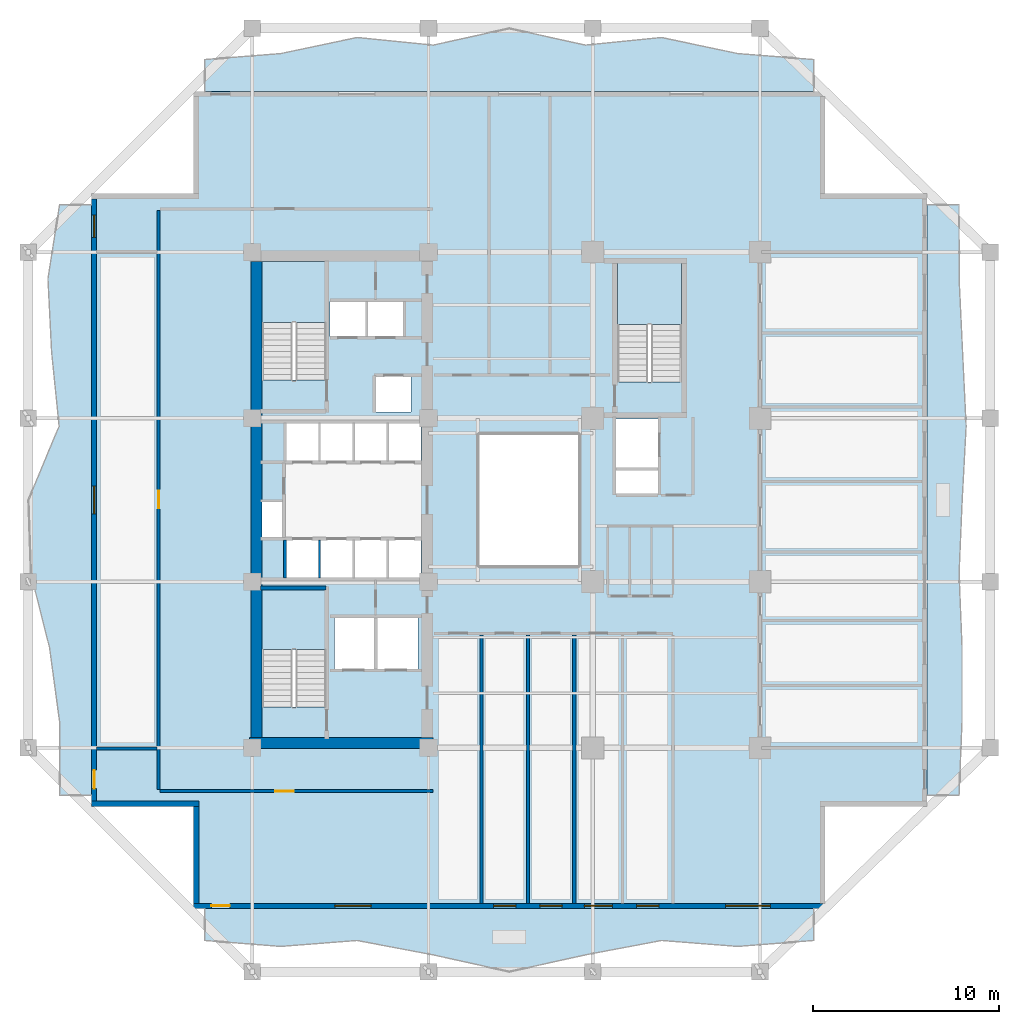
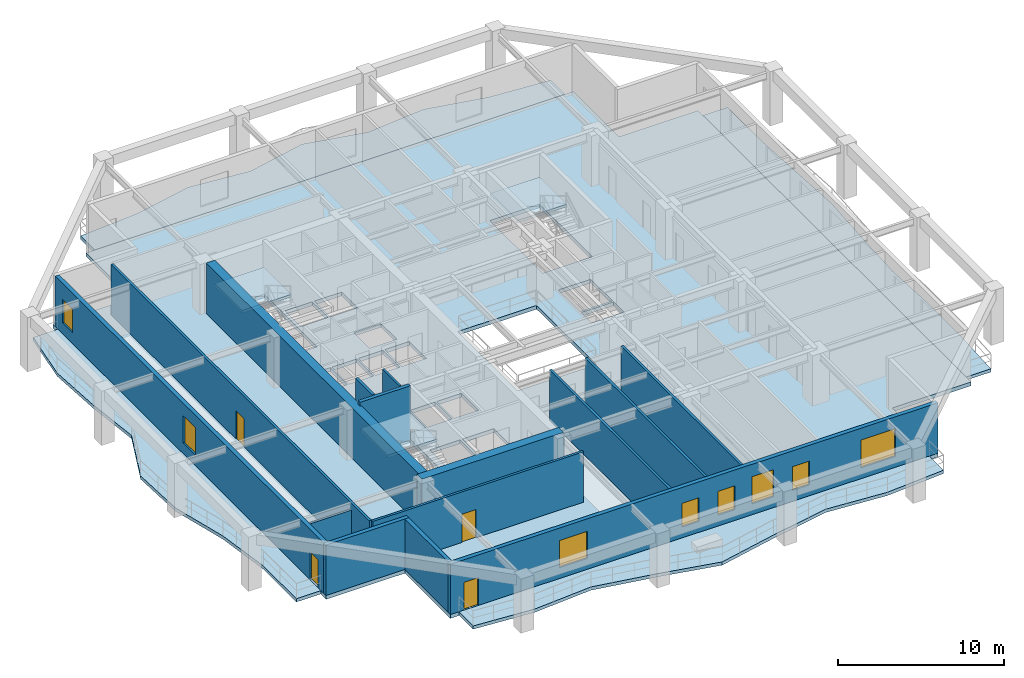
# One storey, part 2 of 13: 15 walls, 8 slabs, 8 windows, 4 doors, 12 openings, 3 elements without a shape of their own.
"""IFC4 building model written with IfcOpenShell, lengths in metres."""

from ifc_helpers import new_model, si_unit, direction, frame, frame_2d, origin, place, context, subcontext, project, spatial, polyline, rectangle, outline, extrude, material, layer, layer_set, type_object, element, fill, aggregate, save


model = new_model("IFC4")

# Units and contexts
model_context = context("Model", 3, precision=1e-05, world=origin(), true_north=direction((0.0, 1.0)))
body_context = subcontext(model_context, "Body", "Model", "MODEL_VIEW")
ifc_project = project(units=[si_unit("LENGTHUNIT", "METRE"), si_unit("AREAUNIT", "SQUARE_METRE"), si_unit("VOLUMEUNIT", "CUBIC_METRE"), si_unit("PLANEANGLEUNIT", "RADIAN"), si_unit("MASSUNIT", "GRAM", prefix="KILO")], contexts=[model_context])

# Site, building, storey
site_placement = place(None, origin())
site = spatial("IfcSite", under=ifc_project, at=site_placement, CompositionType="ELEMENT")
building_placement = place(site_placement, origin())
building = spatial("IfcBuilding", under=site, at=building_placement, Name="Kundavana Baori Tower", CompositionType="ELEMENT")
storey_placement = place(building_placement, frame((0.0, 0.0, 70.0)))
storey = spatial("IfcBuildingStorey", under=building, at=storey_placement, Name="L16", CompositionType="ELEMENT", Elevation=70.0)

# Slab
ifc_material_1 = material(Name="Concrete C40/50", Category="concrete")
ifc_layer_1 = layer(ifc_material_1, 0.280029296875, Name="SLB-FLR-280")
ifc_layer_set_1 = layer_set([ifc_layer_1], Name="Concrete C40/50")
slab_type_1 = type_object("IfcSlabType", Name="SLB-FLR-280", PredefinedType="FLOOR", material=ifc_layer_set_1)
slab_1_placement = place(storey_placement, frame((0.0, 0.0, -0.280029296875)))
element("IfcSlab", 1, at=slab_1_placement, inside=storey, type_object=slab_type_1, Name="L16 Structural Floor Slab", PredefinedType="FLOOR", context=body_context, shape_type="SweptSolid", body=[
    extrude(outline(polyline([(12.300048828125, 6.60009765625), (46.300048828125, 6.60009765625), (46.300048828125, 12.10009765625), (51.800048828125, 12.10009765625), (51.800048828125, 45.10009765625), (46.300048828125, 45.10009765625), (46.300048828125, 50.60009765625), (12.300048828125, 50.60009765625), (12.300048828125, 45.10009765625), (6.800048828125, 45.10009765625), (6.800048828125, 12.10009765625), (12.300048828125, 12.10009765625), (12.300048828125, 6.60009765625)]), holes=[polyline([(19.43994140625, 17.4619140625), (19.43994140625, 23.85009765625), (15.97998046875, 23.85009765625), (15.97998046875, 17.4619140625), (19.43994140625, 17.4619140625)]), polyline([(19.43994140625, 35.06201171875), (19.43994140625, 41.449951171875), (15.97998046875, 41.449951171875), (15.97998046875, 35.06201171875), (19.43994140625, 35.06201171875)]), polyline([(38.580078125, 34.9619140625), (38.580078125, 41.35009765625), (35.1201171875, 41.35009765625), (35.1201171875, 34.9619140625), (38.580078125, 34.9619140625)]), polyline([(17.300048828125, 24.39990234375), (19.02001953125, 24.39990234375), (19.02001953125, 26.449951171875), (17.300048828125, 26.449951171875), (17.300048828125, 24.39990234375)]), polyline([(19.139892578125, 24.39990234375), (20.860107421875, 24.39990234375), (20.860107421875, 26.449951171875), (19.139892578125, 26.449951171875), (19.139892578125, 24.39990234375)]), polyline([(20.97998046875, 24.39990234375), (22.699951171875, 24.39990234375), (22.699951171875, 26.449951171875), (20.97998046875, 26.449951171875), (20.97998046875, 24.39990234375)]), polyline([(22.820068359375, 24.39990234375), (24.5400390625, 24.39990234375), (24.5400390625, 26.449951171875), (22.820068359375, 26.449951171875), (22.820068359375, 24.39990234375)]), polyline([(17.300048828125, 30.699951171875), (19.02001953125, 30.699951171875), (19.02001953125, 32.75), (17.300048828125, 32.75), (17.300048828125, 30.699951171875)]), polyline([(19.139892578125, 30.699951171875), (20.860107421875, 30.699951171875), (20.860107421875, 32.75), (19.139892578125, 32.75), (19.139892578125, 30.699951171875)]), polyline([(20.97998046875, 30.699951171875), (22.699951171875, 30.699951171875), (22.699951171875, 32.75), (20.97998046875, 32.75), (20.97998046875, 30.699951171875)]), polyline([(22.820068359375, 30.699951171875), (24.5400390625, 30.699951171875), (24.5400390625, 32.75), (22.820068359375, 32.75), (22.820068359375, 30.699951171875)]), polyline([(19.64990234375, 37.39990234375), (21.550048828125, 37.39990234375), (21.550048828125, 39.300048828125), (19.64990234375, 39.300048828125), (19.64990234375, 37.39990234375)]), polyline([(21.699951171875, 37.39990234375), (23.60009765625, 37.39990234375), (23.60009765625, 39.300048828125), (21.699951171875, 39.300048828125), (21.699951171875, 37.39990234375)]), polyline([(22.10009765625, 33.35009765625), (24.0, 33.35009765625), (24.0, 35.25), (22.10009765625, 35.25), (22.10009765625, 33.35009765625)]), polyline([(19.8798828125, 19.5), (22.02001953125, 19.5), (22.02001953125, 22.25), (19.8798828125, 22.25), (19.8798828125, 19.5)]), polyline([(22.179931640625, 19.5), (24.3798828125, 19.5), (24.3798828125, 22.25), (22.179931640625, 22.25), (22.179931640625, 19.5)]), polyline([(35.050048828125, 30.35009765625), (37.300048828125, 30.35009765625), (37.300048828125, 32.949951171875), (35.050048828125, 32.949951171875), (35.050048828125, 30.35009765625)]), polyline([(15.949951171875, 26.60009765625), (17.080078125, 26.60009765625), (17.080078125, 28.5), (15.949951171875, 28.5), (15.949951171875, 26.60009765625)]), polyline([(35.050048828125, 28.949951171875), (37.300048828125, 28.949951171875), (37.300048828125, 30.199951171875), (35.050048828125, 30.199951171875), (35.050048828125, 28.949951171875)]), polyline([(27.60009765625, 25.0), (33.10009765625, 25.0), (33.10009765625, 32.199951171875), (27.60009765625, 32.199951171875), (27.60009765625, 25.0)])]), origin(), (0.0, 0.0, 1.0), 0.280029296875),
])

# Stair, slab
ifc_material_2 = material(Name="Concrete C40/50", Category="concrete")
stair_type = type_object("IfcStairType", Name="STR-DOG-1650", PredefinedType="HALF_TURN_STAIR", material=ifc_material_2)
stair_1_placement = place(storey_placement, origin())
stair_1 = element("IfcStair", 2, at=stair_1_placement, inside=storey, type_object=stair_type, Name="L16 Protected Exit Stair ST1", PredefinedType="HALF_TURN_STAIR")
ifc_material_3 = material(Name="Concrete C40/50", Category="concrete")
ifc_layer_2 = layer(ifc_material_3, 0.199951171875, Name="SLB-LND-200")
ifc_layer_set_2 = layer_set([ifc_layer_2], Name="Concrete C40/50")
slab_type_2 = type_object("IfcSlabType", Name="SLB-LND-200", PredefinedType="LANDING", material=ifc_layer_set_2)
slab_2_placement = place(storey_placement, frame((0.0, 0.0, 1.800048828125)))
slab_2 = element("IfcSlab", 3, at=slab_2_placement, type_object=slab_type_2, Name="ST1 landing 1", PredefinedType="LANDING", context=body_context, shape_type="SweptSolid", body=[
    extrude(outline(polyline([(19.43994140625, 20.550048828125), (19.43994140625, 23.85009765625), (15.97998046875, 23.85009765625), (15.97998046875, 20.550048828125), (19.43994140625, 20.550048828125)])), origin(), (0.0, 0.0, 1.0), 0.199951171875),
])
aggregate(stair_1, [slab_2])

stair_2_placement = place(storey_placement, origin())
stair_2 = element("IfcStair", 4, at=stair_2_placement, inside=storey, type_object=stair_type, Name="L16 Protected Exit Stair ST2", PredefinedType="HALF_TURN_STAIR")
slab_3_placement = place(storey_placement, frame((0.0, 0.0, 1.800048828125)))
slab_3 = element("IfcSlab", 5, at=slab_3_placement, type_object=slab_type_2, Name="ST2 landing 1", PredefinedType="LANDING", context=body_context, shape_type="SweptSolid", body=[
    extrude(outline(polyline([(19.43994140625, 38.14990234375), (19.43994140625, 41.449951171875), (15.97998046875, 41.449951171875), (15.97998046875, 38.14990234375), (19.43994140625, 38.14990234375)])), origin(), (0.0, 0.0, 1.0), 0.199951171875),
])
aggregate(stair_2, [slab_3])

stair_3_placement = place(storey_placement, origin())
stair_3 = element("IfcStair", 6, at=stair_3_placement, inside=storey, type_object=stair_type, Name="L16 Protected Exit Stair ST3", PredefinedType="HALF_TURN_STAIR")
slab_4_placement = place(storey_placement, frame((0.0, 0.0, 1.800048828125)))
slab_4 = element("IfcSlab", 7, at=slab_4_placement, type_object=slab_type_2, Name="ST3 landing 1", PredefinedType="LANDING", context=body_context, shape_type="SweptSolid", body=[
    extrude(outline(polyline([(38.580078125, 38.050048828125), (38.580078125, 41.35009765625), (35.1201171875, 41.35009765625), (35.1201171875, 38.050048828125), (38.580078125, 38.050048828125)])), origin(), (0.0, 0.0, 1.0), 0.199951171875),
])
aggregate(stair_3, [slab_4])

# Slabs
ifc_material_4 = material(Name="Concrete C40/50", Category="concrete")
ifc_layer_3 = layer(ifc_material_4, 0.239990234375, Name="SLB-LOG-240")
ifc_layer_set_3 = layer_set([ifc_layer_3], Name="Concrete C40/50")
slab_type_3 = type_object("IfcSlabType", Name="SLB-LOG-240", PredefinedType="FLOOR", material=ifc_layer_set_3)
slab_5_placement = place(storey_placement, frame((0.0, 0.0, -0.239990234375)))
element("IfcSlab", 8, at=slab_5_placement, inside=storey, type_object=slab_type_3, Name="L16 Planted Loggia Balcony Slab S", PredefinedType="FLOOR", context=body_context, shape_type="SweptSolid", body=[
    extrude(outline(polyline([(12.89990234375, 6.60009765625), (45.699951171875, 6.60009765625), (45.699951171875, 4.8798828125), (41.60009765625, 4.55908203125), (37.5, 4.8798828125), (33.39990234375, 4.10400390625), (29.300048828125, 3.199951171875), (25.199951171875, 4.10400390625), (21.10009765625, 4.8798828125), (17.0, 4.55908203125), (12.89990234375, 4.8798828125), (12.89990234375, 6.60009765625)])), origin(), (0.0, 0.0, 1.0), 0.239990234375),
])
slab_6_placement = place(storey_placement, frame((0.0, 0.0, -0.239990234375)))
element("IfcSlab", 9, at=slab_6_placement, inside=storey, type_object=slab_type_3, Name="L16 Planted Loggia Balcony Slab E", PredefinedType="FLOOR", context=body_context, shape_type="SweptSolid", body=[
    extrude(outline(polyline([(51.800048828125, 12.699951171875), (51.800048828125, 44.5), (53.52001953125, 44.5), (53.52392578125, 40.52490234375), (53.7109375, 36.550048828125), (53.902099609375, 32.574951171875), (53.68994140625, 28.60009765625), (53.52197265625, 24.625), (53.68310546875, 20.64990234375), (53.680908203125, 16.675048828125), (53.52001953125, 12.699951171875), (51.800048828125, 12.699951171875)])), origin(), (0.0, 0.0, 1.0), 0.239990234375),
])
slab_7_placement = place(storey_placement, frame((0.0, 0.0, -0.239990234375)))
element("IfcSlab", 10, at=slab_7_placement, inside=storey, type_object=slab_type_3, Name="L16 Planted Loggia Balcony Slab N", PredefinedType="FLOOR", context=body_context, shape_type="SweptSolid", body=[
    extrude(outline(polyline([(45.699951171875, 50.60009765625), (12.89990234375, 50.60009765625), (12.89990234375, 52.320068359375), (17.0, 52.64111328125), (21.10009765625, 53.508056640625), (25.199951171875, 53.095947265625), (29.300048828125, 54.0), (33.39990234375, 53.095947265625), (37.5, 53.508056640625), (41.60009765625, 52.64111328125), (45.699951171875, 52.320068359375), (45.699951171875, 50.60009765625)])), origin(), (0.0, 0.0, 1.0), 0.239990234375),
])
slab_8_placement = place(storey_placement, frame((0.0, 0.0, -0.239990234375)))
element("IfcSlab", 11, at=slab_8_placement, inside=storey, type_object=slab_type_3, Name="L16 Planted Loggia Balcony Slab W", PredefinedType="FLOOR", context=body_context, shape_type="SweptSolid", body=[
    extrude(outline(polyline([(6.800048828125, 44.5), (6.800048828125, 12.699951171875), (5.080078125, 12.699951171875), (5.080078125, 16.675048828125), (4.54296875, 20.64990234375), (3.535888671875, 24.625), (3.39990234375, 28.60009765625), (5.05810546875, 32.574951171875), (4.654052734375, 36.550048828125), (4.455078125, 40.52490234375), (5.080078125, 44.5), (6.800048828125, 44.5)])), origin(), (0.0, 0.0, 1.0), 0.239990234375),
])

# Walls
ifc_material_5 = material(Name="Concrete C50/60", Category="concrete")
ifc_layer_4 = layer(ifc_material_5, 0.39990234375, Name="WL-CORE-400")
ifc_layer_set_4 = layer_set([ifc_layer_4], Name="Concrete C50/60")
wall_type_1 = type_object("IfcWallType", Name="WL-CORE-400", PredefinedType="SHEAR", material=ifc_layer_set_4)
wall_1_placement = place(storey_placement, frame((15.89990234375, 23.860107421875, 0.0), z_axis=(0.0, 0.0, 1.0), x_axis=(1.0, 0.0, 0.0)))
element("IfcWall", 12, at=wall_1_placement, inside=storey, type_object=wall_type_1, Name="WL-L16-ST1-N", PredefinedType="SHEAR", context=body_context, shape_type="SweptSolid", body=[
    extrude(rectangle(XDim=3.52001953125, YDim=0.239990234375, at=frame_2d((1.760009765625, 0.0))), origin(), (0.0, 0.0, 1.0), 4.0),
])
ifc_material_6 = material(Name="Concrete C60/75", Category="concrete")
ifc_layer_5 = layer(ifc_material_6, 0.60009765625, Name="WL-CORE-600")
ifc_layer_set_5 = layer_set([ifc_layer_5], Name="Concrete C60/75")
wall_type_2 = type_object("IfcWallType", Name="WL-CORE-600", PredefinedType="SHEAR", material=ifc_layer_set_5)
wall_2_placement = place(storey_placement, frame((15.300048828125, 15.510009765625, 0.0), z_axis=(0.0, 0.0, 1.0), x_axis=(1.0, 0.0, 0.0)))
element("IfcWall", 13, at=wall_2_placement, inside=storey, type_object=wall_type_2, Name="L16 Offset Core South Shear Wall", PredefinedType="SHEAR", context=body_context, shape_type="SweptSolid", body=[
    extrude(rectangle(XDim=9.8798828125, YDim=0.60009765625, at=frame_2d((4.93994140625, 0.0))), origin(), (0.0, 0.0, 1.0), 3.719970703125),
])
wall_3_placement = place(storey_placement, frame((15.68994140625, 15.81005859375, 0.0), z_axis=(0.0, 0.0, 1.0), x_axis=(0.0, 1.0, 0.0)))
element("IfcWall", 14, at=wall_3_placement, inside=storey, type_object=wall_type_2, Name="L16 Offset Core West Shear Wall", PredefinedType="SHEAR", context=body_context, shape_type="SweptSolid", body=[
    extrude(rectangle(XDim=25.6298828125, YDim=0.60009765625, at=frame_2d((12.81494140625, 0.0))), origin(), (0.0, 0.0, 1.0), 3.719970703125),
])

# Wall, openings, door, windows
ifc_material_7 = material(Name="Red-Buff Dholpur Sandstone Cladding on Concrete C40/50", Category="masonry")
ifc_layer_6 = layer(ifc_material_7, 0.280029296875, Name="WL-EXT-SAND-280")
ifc_layer_set_6 = layer_set([ifc_layer_6], Name="Red-Buff Dholpur Sandstone Cladding on Concrete C40/50")
wall_type_3 = type_object("IfcWallType", Name="WL-EXT-SAND-280", PredefinedType="STANDARD", material=ifc_layer_set_6)
wall_4_placement = place(storey_placement, frame((12.300048828125, 6.739990234375, 0.0), z_axis=(0.0, 0.0, 1.0), x_axis=(1.0, 0.0, 0.0)))
wall_4 = element("IfcWall", 15, at=wall_4_placement, inside=storey, type_object=wall_type_3, Name="L16 Exterior Insulated Facade Wall 01", PredefinedType="STANDARD", context=body_context, shape_type="SweptSolid", body=[
    extrude(rectangle(XDim=34.0, YDim=0.280029296875, at=frame_2d((17.0, 0.0))), origin(), (0.0, 0.0, 1.0), 3.719970703125),
])
opening_1_placement = place(wall_4_placement, frame((0.949951171875, 0.0, 0.0)))
opening_1 = element("IfcOpeningElement", 16, at=opening_1_placement, cuts=wall_4, Name="Opening BD-1", PredefinedType="OPENING", context=body_context, shape_type="SweptSolid", body=[
    extrude(rectangle(XDim=1.0, YDim=2.050048828125, at=frame_2d((0.5, 1.02490234375))), frame((0.0, 0.14990234375, 0.0), z_axis=(0.0, -1.0, 0.0), x_axis=(1.0, 0.0, 0.0)), (0.0, 0.0, 1.0), 0.300048828125),
])
opening_2_placement = place(wall_4_placement, frame((7.60498046875, 0.0, 0.800048828125)))
opening_2 = element("IfcOpeningElement", 17, at=opening_2_placement, cuts=wall_4, Name="Opening W-09", PredefinedType="OPENING", context=body_context, shape_type="SweptSolid", body=[
    extrude(rectangle(XDim=1.949951171875, YDim=2.0, at=frame_2d((0.97509765625, 1.0))), frame((0.0, 0.14990234375, 0.0), z_axis=(0.0, -1.0, 0.0), x_axis=(1.0, 0.0, 0.0)), (0.0, 0.0, 1.0), 0.300048828125),
])
opening_3_placement = place(wall_4_placement, frame((16.14990234375, 0.0, 0.800048828125)))
opening_3 = element("IfcOpeningElement", 18, at=opening_3_placement, cuts=wall_4, Name="Opening W-03", PredefinedType="OPENING", context=body_context, shape_type="SweptSolid", body=[
    extrude(rectangle(XDim=1.199951171875, YDim=1.75, at=frame_2d((0.60009765625, 0.875))), frame((0.0, 0.14990234375, 0.0), z_axis=(0.0, -1.0, 0.0), x_axis=(1.0, 0.0, 0.0)), (0.0, 0.0, 1.0), 0.300048828125),
])
opening_4_placement = place(wall_4_placement, frame((18.64990234375, 0.0, 0.800048828125)))
opening_4 = element("IfcOpeningElement", 19, at=opening_4_placement, cuts=wall_4, Name="Opening W-03", PredefinedType="OPENING", context=body_context, shape_type="SweptSolid", body=[
    extrude(rectangle(XDim=1.199951171875, YDim=1.75, at=frame_2d((0.60009765625, 0.875))), frame((0.0, 0.14990234375, 0.0), z_axis=(0.0, -1.0, 0.0), x_axis=(1.0, 0.0, 0.0)), (0.0, 0.0, 1.0), 0.300048828125),
])
opening_5_placement = place(wall_4_placement, frame((21.050048828125, 0.0, 0.800048828125)))
opening_5 = element("IfcOpeningElement", 20, at=opening_5_placement, cuts=wall_4, Name="Opening W-02", PredefinedType="OPENING", context=body_context, shape_type="SweptSolid", body=[
    extrude(rectangle(XDim=1.5, YDim=2.0, at=frame_2d((0.75, 1.0))), frame((0.0, 0.14990234375, 0.0), z_axis=(0.0, -1.0, 0.0), x_axis=(1.0, 0.0, 0.0)), (0.0, 0.0, 1.0), 0.300048828125),
])
opening_6_placement = place(wall_4_placement, frame((23.860107421875, 0.0, 0.800048828125)))
opening_6 = element("IfcOpeningElement", 21, at=opening_6_placement, cuts=wall_4, Name="Opening W-03", PredefinedType="OPENING", context=body_context, shape_type="SweptSolid", body=[
    extrude(rectangle(XDim=1.199951171875, YDim=1.75, at=frame_2d((0.60009765625, 0.875))), frame((0.0, 0.14990234375, 0.0), z_axis=(0.0, -1.0, 0.0), x_axis=(1.0, 0.0, 0.0)), (0.0, 0.0, 1.0), 0.300048828125),
])
opening_7_placement = place(wall_4_placement, frame((28.655029296875, 0.0, 0.800048828125)))
opening_7 = element("IfcOpeningElement", 22, at=opening_7_placement, cuts=wall_4, Name="Opening W-04", PredefinedType="OPENING", context=body_context, shape_type="SweptSolid", body=[
    extrude(rectangle(XDim=2.39990234375, YDim=2.050048828125, at=frame_2d((1.199951171875, 1.02490234375))), frame((0.0, 0.14990234375, 0.0), z_axis=(0.0, -1.0, 0.0), x_axis=(1.0, 0.0, 0.0)), (0.0, 0.0, 1.0), 0.300048828125),
])
ifc_material_8 = material(Name="Architectural Patinated Bronze Metalwork")
door_type_1 = type_object("IfcDoorType", Name="DR-EXT-LOG-1000", OperationType="NOTDEFINED", PredefinedType="DOOR", material=ifc_material_8)
door_1_placement = place(opening_1_placement, frame((1.0, 0.0, 0.0), z_axis=(0.0, 0.0, 1.0), x_axis=(-1.0, 0.0, 0.0)))
door_1 = element("IfcDoor", 23, at=door_1_placement, inside=storey, type_object=door_type_1, Name="L16 Loggia Balcony Access Door S", OperationType="SINGLE_SWING_LEFT", OverallHeight=2.050048828125, OverallWidth=1.0, PredefinedType="DOOR", context=body_context, shape_type="SweptSolid", body=[
    extrude(rectangle(XDim=1.0, YDim=2.050048828125, at=frame_2d((0.5, 1.02490234375))), frame((0.0, 0.02490234375, 0.0), z_axis=(0.0, -1.0, 0.0), x_axis=(1.0, 0.0, 0.0)), (0.0, 0.0, 1.0), 0.050048828125),
])
fill(opening_1, door_1)
ifc_material_9 = material(Name="Double-Glazed Solar-Control Low-E Insulated Glass", Category="glass")
window_type_1 = type_object("IfcWindowType", Name="WIN-LOG-1200x1750", PartitioningType="SINGLE_PANEL", PredefinedType="WINDOW", material=ifc_material_9)
window_1_placement = place(opening_3_placement, origin())
window_1 = element("IfcWindow", 24, at=window_1_placement, inside=storey, type_object=window_type_1, Name="L16 Recessed Loggia Window S-2", OverallHeight=1.75, OverallWidth=1.199951171875, PartitioningType="SINGLE_PANEL", PredefinedType="WINDOW", context=body_context, shape_type="SweptSolid", body=[
    extrude(rectangle(XDim=1.199951171875, YDim=1.75, at=frame_2d((0.60009765625, 0.875))), frame((0.0, 0.030029296875, 0.0), z_axis=(0.0, -1.0, 0.0), x_axis=(1.0, 0.0, 0.0)), (0.0, 0.0, 1.0), 0.06005859375),
])
fill(opening_3, window_1)
window_2_placement = place(opening_4_placement, origin())
window_2 = element("IfcWindow", 25, at=window_2_placement, inside=storey, type_object=window_type_1, Name="L16 Recessed Loggia Window S-3", OverallHeight=1.75, OverallWidth=1.199951171875, PartitioningType="SINGLE_PANEL", PredefinedType="WINDOW", context=body_context, shape_type="SweptSolid", body=[
    extrude(rectangle(XDim=1.199951171875, YDim=1.75, at=frame_2d((0.60009765625, 0.875))), frame((0.0, 0.030029296875, 0.0), z_axis=(0.0, -1.0, 0.0), x_axis=(1.0, 0.0, 0.0)), (0.0, 0.0, 1.0), 0.06005859375),
])
fill(opening_4, window_2)
window_3_placement = place(opening_6_placement, origin())
window_3 = element("IfcWindow", 26, at=window_3_placement, inside=storey, type_object=window_type_1, Name="L16 Recessed Loggia Window S-5", OverallHeight=1.75, OverallWidth=1.199951171875, PartitioningType="SINGLE_PANEL", PredefinedType="WINDOW", context=body_context, shape_type="SweptSolid", body=[
    extrude(rectangle(XDim=1.199951171875, YDim=1.75, at=frame_2d((0.60009765625, 0.875))), frame((0.0, 0.030029296875, 0.0), z_axis=(0.0, -1.0, 0.0), x_axis=(1.0, 0.0, 0.0)), (0.0, 0.0, 1.0), 0.06005859375),
])
fill(opening_6, window_3)
ifc_material_10 = material(Name="Double-Glazed Solar-Control Low-E Insulated Glass", Category="glass")
window_type_2 = type_object("IfcWindowType", Name="WIN-LOG-1500x2000", PartitioningType="SINGLE_PANEL", PredefinedType="WINDOW", material=ifc_material_10)
window_4_placement = place(opening_5_placement, origin())
window_4 = element("IfcWindow", 27, at=window_4_placement, inside=storey, type_object=window_type_2, Name="L16 Recessed Loggia Window S-4", OverallHeight=2.0, OverallWidth=1.5, PartitioningType="SINGLE_PANEL", PredefinedType="WINDOW", context=body_context, shape_type="SweptSolid", body=[
    extrude(rectangle(XDim=1.5, YDim=2.0, at=frame_2d((0.75, 1.0))), frame((0.0, 0.030029296875, 0.0), z_axis=(0.0, -1.0, 0.0), x_axis=(1.0, 0.0, 0.0)), (0.0, 0.0, 1.0), 0.06005859375),
])
fill(opening_5, window_4)
ifc_material_11 = material(Name="Double-Glazed Solar-Control Low-E Insulated Glass", Category="glass")
window_type_3 = type_object("IfcWindowType", Name="WIN-LOG-1950x2000", PartitioningType="SINGLE_PANEL", PredefinedType="WINDOW", material=ifc_material_11)
window_5_placement = place(opening_2_placement, origin())
window_5 = element("IfcWindow", 28, at=window_5_placement, inside=storey, type_object=window_type_3, Name="L16 Recessed Loggia Window S-1", OverallHeight=2.0, OverallWidth=1.949951171875, PartitioningType="SINGLE_PANEL", PredefinedType="WINDOW", context=body_context, shape_type="SweptSolid", body=[
    extrude(rectangle(XDim=1.949951171875, YDim=2.0, at=frame_2d((0.97509765625, 1.0))), frame((0.0, 0.030029296875, 0.0), z_axis=(0.0, -1.0, 0.0), x_axis=(1.0, 0.0, 0.0)), (0.0, 0.0, 1.0), 0.06005859375),
])
fill(opening_2, window_5)
ifc_material_12 = material(Name="Double-Glazed Solar-Control Low-E Insulated Glass", Category="glass")
window_type_4 = type_object("IfcWindowType", Name="WIN-LOG-2400x2050", PartitioningType="SINGLE_PANEL", PredefinedType="WINDOW", material=ifc_material_12)
window_6_placement = place(opening_7_placement, origin())
window_6 = element("IfcWindow", 29, at=window_6_placement, inside=storey, type_object=window_type_4, Name="L16 Recessed Loggia Window S-6", OverallHeight=2.050048828125, OverallWidth=2.39990234375, PartitioningType="SINGLE_PANEL", PredefinedType="WINDOW", context=body_context, shape_type="SweptSolid", body=[
    extrude(rectangle(XDim=2.39990234375, YDim=2.050048828125, at=frame_2d((1.199951171875, 1.02490234375))), frame((0.0, 0.030029296875, 0.0), z_axis=(0.0, -1.0, 0.0), x_axis=(1.0, 0.0, 0.0)), (0.0, 0.0, 1.0), 0.06005859375),
])
fill(opening_7, window_6)

wall_5_placement = place(storey_placement, frame((6.93994140625, 44.820068359375, 0.0), z_axis=(0.0, 0.0, 1.0), x_axis=(0.0, -1.0, 0.0)))
wall_5 = element("IfcWall", 30, at=wall_5_placement, inside=storey, type_object=wall_type_3, Name="L16 Exterior Insulated Facade Wall 10", PredefinedType="STANDARD", context=body_context, shape_type="SweptSolid", body=[
    extrude(rectangle(XDim=32.440185546875, YDim=0.280029296875, at=frame_2d((16.22021484375, 0.0))), origin(), (0.0, 0.0, 1.0), 3.719970703125),
])
opening_8_placement = place(wall_5_placement, frame((30.77001953125, 0.0, 0.0)))
opening_8 = element("IfcOpeningElement", 31, at=opening_8_placement, cuts=wall_5, Name="Opening BD-1", PredefinedType="OPENING", context=body_context, shape_type="SweptSolid", body=[
    extrude(rectangle(XDim=1.0, YDim=2.050048828125, at=frame_2d((0.5, 1.02490234375))), frame((0.0, 0.14990234375, 0.0), z_axis=(0.0, -1.0, 0.0), x_axis=(1.0, 0.0, 0.0)), (0.0, 0.0, 1.0), 0.300048828125),
])
opening_9_placement = place(wall_5_placement, frame((15.469970703125, 0.0, 0.800048828125)))
opening_9 = element("IfcOpeningElement", 32, at=opening_9_placement, cuts=wall_5, Name="Opening W-02", PredefinedType="OPENING", context=body_context, shape_type="SweptSolid", body=[
    extrude(rectangle(XDim=1.5, YDim=2.0, at=frame_2d((0.75, 1.0))), frame((0.0, 0.14990234375, 0.0), z_axis=(0.0, -1.0, 0.0), x_axis=(1.0, 0.0, 0.0)), (0.0, 0.0, 1.0), 0.300048828125),
])
opening_10_placement = place(wall_5_placement, frame((0.875, 0.0, 0.800048828125)))
opening_10 = element("IfcOpeningElement", 33, at=opening_10_placement, cuts=wall_5, Name="Opening W-03", PredefinedType="OPENING", context=body_context, shape_type="SweptSolid", body=[
    extrude(rectangle(XDim=1.199951171875, YDim=1.75, at=frame_2d((0.60009765625, 0.875))), frame((0.0, 0.14990234375, 0.0), z_axis=(0.0, -1.0, 0.0), x_axis=(1.0, 0.0, 0.0)), (0.0, 0.0, 1.0), 0.300048828125),
])
door_2_placement = place(opening_8_placement, frame((1.0, 0.0, 0.0), z_axis=(0.0, 0.0, 1.0), x_axis=(-1.0, 0.0, 0.0)))
door_2 = element("IfcDoor", 34, at=door_2_placement, inside=storey, type_object=door_type_1, Name="L16 Loggia Balcony Access Door W", OperationType="SINGLE_SWING_RIGHT", OverallHeight=2.050048828125, OverallWidth=1.0, PredefinedType="DOOR", context=body_context, shape_type="SweptSolid", body=[
    extrude(rectangle(XDim=1.0, YDim=2.050048828125, at=frame_2d((0.5, 1.02490234375))), frame((0.0, 0.02490234375, 0.0), z_axis=(0.0, -1.0, 0.0), x_axis=(1.0, 0.0, 0.0)), (0.0, 0.0, 1.0), 0.050048828125),
])
fill(opening_8, door_2)
window_7_placement = place(opening_10_placement, origin())
window_7 = element("IfcWindow", 35, at=window_7_placement, inside=storey, type_object=window_type_1, Name="L16 Recessed Loggia Window W-3", OverallHeight=1.75, OverallWidth=1.199951171875, PartitioningType="SINGLE_PANEL", PredefinedType="WINDOW", context=body_context, shape_type="SweptSolid", body=[
    extrude(rectangle(XDim=1.199951171875, YDim=1.75, at=frame_2d((0.60009765625, 0.875))), frame((0.0, 0.030029296875, 0.0), z_axis=(0.0, -1.0, 0.0), x_axis=(1.0, 0.0, 0.0)), (0.0, 0.0, 1.0), 0.06005859375),
])
fill(opening_10, window_7)
window_8_placement = place(opening_9_placement, origin())
window_8 = element("IfcWindow", 36, at=window_8_placement, inside=storey, type_object=window_type_2, Name="L16 Recessed Loggia Window W-2", OverallHeight=2.0, OverallWidth=1.5, PartitioningType="SINGLE_PANEL", PredefinedType="WINDOW", context=body_context, shape_type="SweptSolid", body=[
    extrude(rectangle(XDim=1.5, YDim=2.0, at=frame_2d((0.75, 1.0))), frame((0.0, 0.030029296875, 0.0), z_axis=(0.0, -1.0, 0.0), x_axis=(1.0, 0.0, 0.0)), (0.0, 0.0, 1.0), 0.06005859375),
])
fill(opening_9, window_8)

# Walls
wall_6_placement = place(storey_placement, frame((6.800048828125, 12.239990234375, 0.0), z_axis=(0.0, 0.0, 1.0), x_axis=(1.0, 0.0, 0.0)))
element("IfcWall", 37, at=wall_6_placement, inside=storey, type_object=wall_type_3, Name="L16 Exterior Insulated Facade Wall 11", PredefinedType="STANDARD", context=body_context, shape_type="SweptSolid", body=[
    extrude(rectangle(XDim=5.780029296875, YDim=0.280029296875, at=frame_2d((2.89013671875, 0.0))), origin(), (0.0, 0.0, 1.0), 3.719970703125),
])
wall_7_placement = place(storey_placement, frame((12.43994140625, 12.10009765625, 0.0), z_axis=(0.0, 0.0, 1.0), x_axis=(0.0, -1.0, 0.0)))
element("IfcWall", 38, at=wall_7_placement, inside=storey, type_object=wall_type_3, Name="L16 Exterior Insulated Facade Wall 12", PredefinedType="STANDARD", context=body_context, shape_type="SweptSolid", body=[
    extrude(rectangle(XDim=5.22021484375, YDim=0.280029296875, at=frame_2d((2.610107421875, 0.0))), origin(), (0.0, 0.0, 1.0), 3.719970703125),
])
ifc_material_13 = material(Name="Acoustic Gypsum Plasterboard on Galvanised Steel Studs", Category="steel")
ifc_layer_7 = layer(ifc_material_13, 0.1201171875, Name="WL-PART-120")
ifc_layer_set_7 = layer_set([ifc_layer_7], Name="Acoustic Gypsum Plasterboard on Galvanised Steel Studs")
wall_type_4 = type_object("IfcWallType", Name="WL-PART-120", PredefinedType="PARTITIONING", material=ifc_layer_set_7)
wall_8_placement = place(storey_placement, frame((19.080078125, 24.39990234375, 0.0), z_axis=(0.0, 0.0, 1.0), x_axis=(0.0, 1.0, 0.0)))
element("IfcWall", 39, at=wall_8_placement, inside=storey, type_object=wall_type_4, Name="WL-L16-LPLOW-D1", PredefinedType="PARTITIONING", context=body_context, shape_type="SweptSolid", body=[
    extrude(rectangle(XDim=2.050048828125, YDim=0.1201171875, at=frame_2d((1.02490234375, 0.0))), origin(), (0.0, 0.0, 1.0), 3.719970703125),
])

# Wall, opening, door
ifc_material_14 = material(Name="Fire-Rated Gypsum Drywall on Galvanised Steel Studs", Category="steel")
ifc_layer_8 = layer(ifc_material_14, 0.1650390625, Name="WL-PART-165")
ifc_layer_set_8 = layer_set([ifc_layer_8], Name="Fire-Rated Gypsum Drywall on Galvanised Steel Studs")
wall_type_5 = type_object("IfcWallType", Name="WL-PART-165", PredefinedType="PARTITIONING", material=ifc_layer_set_8)
wall_9_placement = place(storey_placement, frame((10.419921875, 13.0, 0.0), z_axis=(0.0, 0.0, 1.0), x_axis=(0.0, 1.0, 0.0)))
wall_9 = element("IfcWall", 40, at=wall_9_placement, inside=storey, type_object=wall_type_5, Name="WL-L16-OW", PredefinedType="PARTITIONING", context=body_context, shape_type="SweptSolid", body=[
    extrude(rectangle(XDim=31.199951171875, YDim=0.1650390625, at=frame_2d((15.60009765625, 0.0))), origin(), (0.0, 0.0, 1.0), 3.719970703125),
])
opening_11_placement = place(wall_9_placement, frame((15.14990234375, 0.0, 0.0)))
opening_11 = element("IfcOpeningElement", 41, at=opening_11_placement, cuts=wall_9, Name="Opening ID-095", PredefinedType="OPENING", context=body_context, shape_type="SweptSolid", body=[
    extrude(rectangle(XDim=0.949951171875, YDim=2.080078125, at=frame_2d((0.47509765625, 1.0400390625))), frame((0.0, 0.092529296875, 0.0), z_axis=(0.0, -1.0, 0.0), x_axis=(1.0, 0.0, 0.0)), (0.0, 0.0, 1.0), 0.18505859375),
])
ifc_material_15 = material(Name="Engineered Teak Solid-Core Timber Veneer", Category="wood")
door_type_2 = type_object("IfcDoorType", Name="DR-INT-950", OperationType="NOTDEFINED", PredefinedType="DOOR", material=ifc_material_15)
door_3_placement = place(opening_11_placement, frame((0.949951171875, 0.0, 0.0), z_axis=(0.0, 0.0, 1.0), x_axis=(-1.0, 0.0, 0.0)))
door_3 = element("IfcDoor", 42, at=door_3_placement, inside=storey, type_object=door_type_2, Name="DR-L16-OFW1", OperationType="SINGLE_SWING_LEFT", OverallHeight=2.080078125, OverallWidth=0.949951171875, PredefinedType="DOOR", context=body_context, shape_type="SweptSolid", body=[
    extrude(rectangle(XDim=0.949951171875, YDim=2.080078125, at=frame_2d((0.47509765625, 1.0400390625))), frame((0.0, 0.02490234375, 0.0), z_axis=(0.0, -1.0, 0.0), x_axis=(1.0, 0.0, 0.0)), (0.0, 0.0, 1.0), 0.050048828125),
])
fill(opening_11, door_3)

# Wall
wall_10_placement = place(storey_placement, frame((7.080078125, 15.219970703125, 0.0), z_axis=(0.0, 0.0, 1.0), x_axis=(1.0, 0.0, 0.0)))
element("IfcWall", 43, at=wall_10_placement, inside=storey, type_object=wall_type_5, Name="WL-L16-OWS", PredefinedType="PARTITIONING", context=body_context, shape_type="SweptSolid", body=[
    extrude(rectangle(XDim=3.260009765625, YDim=0.1650390625, at=frame_2d((1.6298828125, 0.0))), origin(), (0.0, 0.0, 1.0), 3.219970703125),
])

# Wall, opening, door
wall_11_placement = place(storey_placement, frame((10.5, 12.919921875, 0.0), z_axis=(0.0, 0.0, 1.0), x_axis=(1.0, 0.0, 0.0)))
wall_11 = element("IfcWall", 44, at=wall_11_placement, inside=storey, type_object=wall_type_5, Name="WL-L16-OSC", PredefinedType="PARTITIONING", context=body_context, shape_type="SweptSolid", body=[
    extrude(rectangle(XDim=14.699951171875, YDim=0.1650390625, at=frame_2d((7.35009765625, 0.0))), origin(), (0.0, 0.0, 1.0), 3.719970703125),
])
opening_12_placement = place(wall_11_placement, frame((6.199951171875, 0.0, 0.0)))
opening_12 = element("IfcOpeningElement", 45, at=opening_12_placement, cuts=wall_11, Name="Opening ID-100", PredefinedType="OPENING", context=body_context, shape_type="SweptSolid", body=[
    extrude(rectangle(XDim=1.0, YDim=2.080078125, at=frame_2d((0.5, 1.0400390625))), frame((0.0, 0.092529296875, 0.0), z_axis=(0.0, -1.0, 0.0), x_axis=(1.0, 0.0, 0.0)), (0.0, 0.0, 1.0), 0.18505859375),
])
ifc_material_16 = material(Name="Engineered Teak Solid-Core Timber Veneer", Category="wood")
door_type_3 = type_object("IfcDoorType", Name="DR-INT-1000", OperationType="NOTDEFINED", PredefinedType="DOOR", material=ifc_material_16)
door_4_placement = place(opening_12_placement, frame((1.0, 0.0, 0.0), z_axis=(0.0, 0.0, 1.0), x_axis=(-1.0, 0.0, 0.0)))
door_4 = element("IfcDoor", 46, at=door_4_placement, inside=storey, type_object=door_type_3, Name="DR-L16-OSWC", OperationType="SINGLE_SWING_LEFT", OverallHeight=2.080078125, OverallWidth=1.0, PredefinedType="DOOR", context=body_context, shape_type="SweptSolid", body=[
    extrude(rectangle(XDim=1.0, YDim=2.080078125, at=frame_2d((0.5, 1.0400390625))), frame((0.0, 0.02490234375, 0.0), z_axis=(0.0, -1.0, 0.0), x_axis=(1.0, 0.0, 0.0)), (0.0, 0.0, 1.0), 0.050048828125),
])
fill(opening_12, door_4)

# Walls
for number, where, z_axis, x_axis, name in (
    (47, (27.800048828125, 6.8798828125, 0.0), (0.0, 0.0, 1.0), (0.0, 1.0, 0.0), "WL-L16-SD1"),
    (48, (30.300048828125, 6.8798828125, 0.0), (0.0, 0.0, 1.0), (0.0, 1.0, 0.0), "WL-L16-SD2"),
    (49, (32.800048828125, 6.8798828125, 0.0), (0.0, 0.0, 1.0), (0.0, 1.0, 0.0), "WL-L16-SD3"),
):
    element("IfcWall", number, at=place(storey_placement, frame(where, z_axis=z_axis, x_axis=x_axis)), inside=storey, type_object=wall_type_5, Name=name, PredefinedType="PARTITIONING", context=body_context, shape_type="SweptSolid", body=[
        extrude(rectangle(XDim=14.460205078125, YDim=0.1650390625, at=frame_2d((7.22998046875, 0.0))), origin(), (0.0, 0.0, 1.0), 3.719970703125),
    ])
ifc_material_17 = material(Name="Autoclaved Aerated Concrete Blockwork Masonry", Category="masonry")
ifc_layer_9 = layer(ifc_material_17, 0.179931640625, Name="WL-SHAFT-180")
ifc_layer_set_9 = layer_set([ifc_layer_9], Name="Autoclaved Aerated Concrete Blockwork Masonry")
wall_type_6 = type_object("IfcWallType", Name="WL-SHAFT-180", PredefinedType="SOLIDWALL", material=ifc_layer_set_9)
wall_12_placement = place(storey_placement, frame((17.219970703125, 24.39990234375, 0.0), z_axis=(0.0, 0.0, 1.0), x_axis=(0.0, 1.0, 0.0)))
element("IfcWall", 50, at=wall_12_placement, inside=storey, type_object=wall_type_6, Name="WL-L16-LPLOW-W", PredefinedType="SOLIDWALL", context=body_context, shape_type="SweptSolid", body=[
    extrude(rectangle(XDim=2.050048828125, YDim=0.179931640625, at=frame_2d((1.02490234375, 0.0))), origin(), (0.0, 0.0, 1.0), 3.719970703125),
])

save(model, "model.ifc")
